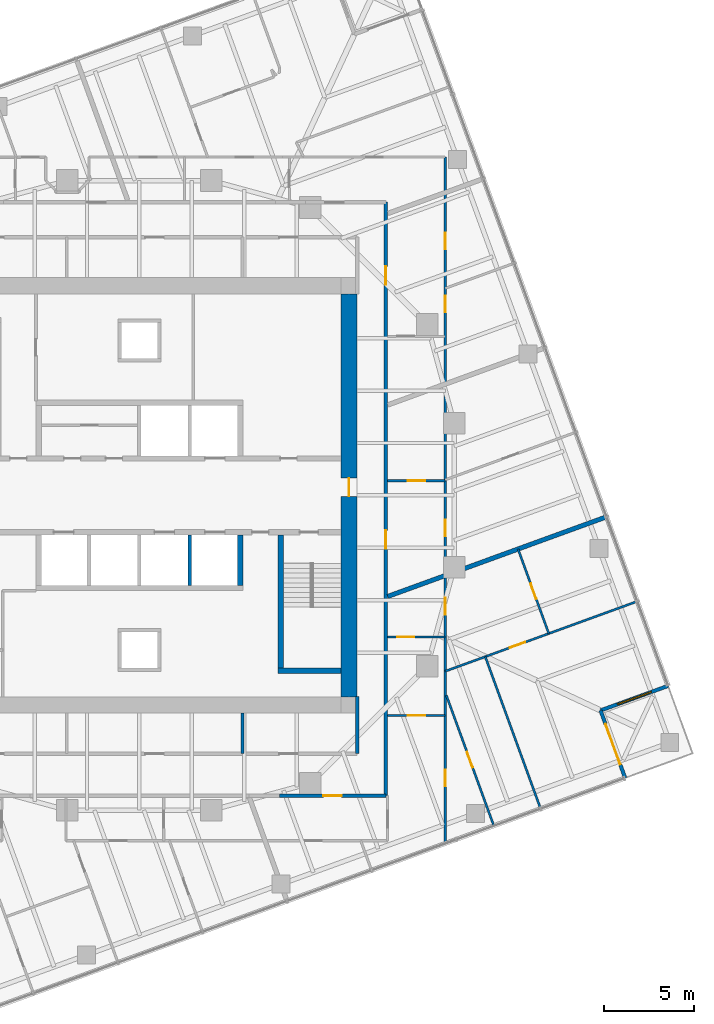
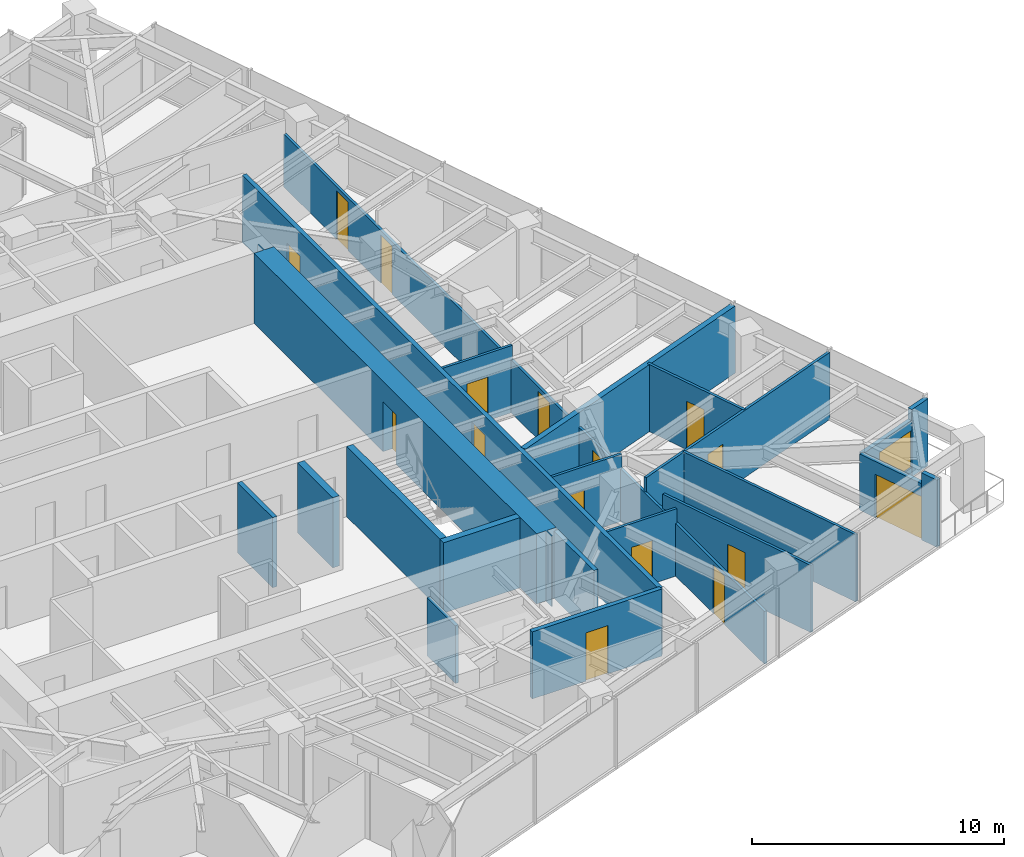
# One storey, part 9 of 13: 22 walls, 16 doors, 1 window, 17 openings.
"""IFC4 building model written with IfcOpenShell, lengths in metres."""

from ifc_helpers import new_model, si_unit, direction, frame, frame_2d, origin, place, context, subcontext, project, spatial, polyline, rectangle, outline, extrude, material, layer, layer_set, type_object, element, fill, save


model = new_model("IFC4")

# Units and contexts
model_context = context("Model", 3, precision=1e-05, world=origin(), true_north=direction((0.0, 1.0)))
body_context = subcontext(model_context, "Body", "Model", "MODEL_VIEW")
ifc_project = project(units=[si_unit("LENGTHUNIT", "METRE"), si_unit("AREAUNIT", "SQUARE_METRE"), si_unit("VOLUMEUNIT", "CUBIC_METRE"), si_unit("PLANEANGLEUNIT", "RADIAN"), si_unit("MASSUNIT", "GRAM", prefix="KILO")], contexts=[model_context])

# Site, building, storey
site_placement = place(None, origin())
site = spatial("IfcSite", under=ifc_project, at=site_placement, CompositionType="ELEMENT")
building_placement = place(site_placement, origin())
building = spatial("IfcBuilding", under=site, at=building_placement, Name="Torsade Residences", CompositionType="ELEMENT")
storey_placement = place(building_placement, frame((0.0, 0.0, 150.60009765625)))
storey = spatial("IfcBuildingStorey", under=building, at=storey_placement, Name="L41", CompositionType="ELEMENT", Elevation=150.60009765625)

# Walls
ifc_material_1 = material(Name="Concrete 80 MPa", Category="concrete")
ifc_layer_1 = layer(ifc_material_1, 0.300048828125)
ifc_layer_set_1 = layer_set([ifc_layer_1], Name="Concrete 80 MPa")
wall_type_1 = type_object("IfcWallType", Name="CORE INTERNAL WALL 300", PredefinedType="SHEAR", material=ifc_layer_set_1)
wall_1_placement = place(storey_placement, frame((45.60009765625, 27.800048828125, 0.0), z_axis=(0.0, 0.0, 1.0), x_axis=(0.0, -1.0, 0.0)))
element("IfcWall", 1, at=wall_1_placement, inside=storey, type_object=wall_type_1, Name="Core wall DS0 L41", PredefinedType="SHEAR", context=body_context, shape_type="SweptSolid", body=[
    extrude(rectangle(XDim=2.800048828125, YDim=0.300048828125, at=frame_2d((1.39990234375, 0.0))), origin(), (0.0, 0.0, 1.0), 3.39990234375),
])
wall_2_placement = place(storey_placement, frame((47.85009765625, 27.800048828125, 0.0), z_axis=(0.0, 0.0, 1.0), x_axis=(0.0, -1.0, 0.0)))
element("IfcWall", 2, at=wall_2_placement, inside=storey, type_object=wall_type_1, Name="Core wall ST2W L41", PredefinedType="SHEAR", context=body_context, shape_type="SweptSolid", body=[
    extrude(rectangle(XDim=7.699951171875, YDim=0.300048828125, at=frame_2d((3.85009765625, 0.0))), origin(), (0.0, 0.0, 1.0), 3.39990234375),
])
wall_3_placement = place(storey_placement, frame((51.199951171875, 20.25, 0.0), z_axis=(0.0, 0.0, 1.0), x_axis=(-1.0, 0.0, 0.0)))
element("IfcWall", 3, at=wall_3_placement, inside=storey, type_object=wall_type_1, Name="Core wall ST2S L41", PredefinedType="SHEAR", context=body_context, shape_type="SweptSolid", body=[
    extrude(rectangle(XDim=3.5, YDim=0.300048828125, at=frame_2d((1.75, 0.0))), origin(), (0.0, 0.0, 1.0), 3.39990234375),
])

# Wall, opening, door
ifc_material_2 = material(Name="Concrete 80 MPa", Category="concrete")
ifc_layer_2 = layer(ifc_material_2, 0.89990234375)
ifc_layer_set_2 = layer_set([ifc_layer_2], Name="Concrete 80 MPa")
wall_type_2 = type_object("IfcWallType", Name="CORE WALL 900", PredefinedType="SHEAR", material=ifc_layer_set_2)
wall_4_placement = place(storey_placement, frame((51.64990234375, 18.800048828125, 0.0), z_axis=(0.0, 0.0, 1.0), x_axis=(0.0, 1.0, 0.0)))
wall_4 = element("IfcWall", 4, at=wall_4_placement, inside=storey, type_object=wall_type_2, Name="Core wall E L41", PredefinedType="SHEAR", context=body_context, shape_type="SweptSolid", body=[
    extrude(outline(polyline([(0.0, -0.449951171875), (22.39990234375, -0.449951171875), (22.39990234375, -0.02490234375), (22.849853515625, -0.02490234375), (22.849853515625, 0.02490234375), (22.39990234375, 0.02490234375), (22.39990234375, 0.449951171875), (0.0, 0.449951171875), (0.0, 0.02490234375), (-0.449951171875, 0.02490234375), (-0.449951171875, -0.02490234375), (0.0, -0.02490234375), (0.0, -0.449951171875)])), origin(), (0.0, 0.0, 1.0), 3.39990234375),
])
opening_1_placement = place(wall_4_placement, frame((11.139892578125, 0.0, 0.0)))
opening_1 = element("IfcOpeningElement", 5, at=opening_1_placement, cuts=wall_4, Name="Opening D04", PredefinedType="OPENING", context=body_context, shape_type="SweptSolid", body=[
    extrude(rectangle(XDim=1.02001953125, YDim=2.39990234375, at=frame_2d((0.510009765625, 1.199951171875))), frame((0.0, 0.4599609375, 0.0), z_axis=(0.0, -1.0, 0.0), x_axis=(1.0, 0.0, 0.0)), (0.0, 0.0, 1.0), 0.919921875),
])
ifc_material_3 = material(Name="Steel-framed fire door", Category="steel")
door_type_1 = type_object("IfcDoorType", Name="LOBBY SMOKE DOOR 1020x2400", OperationType="NOTDEFINED", PredefinedType="DOOR", material=ifc_material_3)
door_1_placement = place(opening_1_placement, origin())
door_1 = element("IfcDoor", 6, at=door_1_placement, inside=storey, type_object=door_type_1, Name="Lift lobby door E L41", OperationType="SINGLE_SWING_LEFT", OverallHeight=2.39990234375, OverallWidth=1.02001953125, PredefinedType="DOOR", context=body_context, shape_type="SweptSolid", body=[
    extrude(rectangle(XDim=1.02001953125, YDim=2.39990234375, at=frame_2d((0.510009765625, 1.199951171875))), frame((0.0, 0.02490234375, 0.0), z_axis=(0.0, -1.0, 0.0), x_axis=(1.0, 0.0, 0.0)), (0.0, 0.0, 1.0), 0.050048828125),
])
fill(opening_1, door_1)

ifc_material_4 = material(Name="Plasterboard on steel stud", Category="steel")
ifc_layer_3 = layer(ifc_material_4, 0.199951171875)
ifc_layer_set_3 = layer_set([ifc_layer_3], Name="Plasterboard on steel stud")
wall_type_3 = type_object("IfcWallType", Name="CORRIDOR WALL 200", PredefinedType="PARTITIONING", material=ifc_layer_set_3)
wall_5_placement = place(storey_placement, frame((47.775146484375, 13.300048828125, 0.0), z_axis=(0.0, 0.0, 1.0), x_axis=(1.0, 0.0, 0.0)))
wall_5 = element("IfcWall", 7, at=wall_5_placement, inside=storey, type_object=wall_type_3, Name="Corridor wall L41", PredefinedType="PARTITIONING", context=body_context, shape_type="SweptSolid", body=[
    extrude(rectangle(XDim=5.9248046875, YDim=0.199951171875, at=frame_2d((2.96240234375, 0.0))), origin(), (0.0, 0.0, 1.0), 3.25),
])
opening_2_placement = place(wall_5_placement, frame((2.453369140625, 0.0, 0.0)))
opening_2 = element("IfcOpeningElement", 8, at=opening_2_placement, cuts=wall_5, Name="Opening D01", PredefinedType="OPENING", context=body_context, shape_type="SweptSolid", body=[
    extrude(rectangle(XDim=1.02001953125, YDim=2.340087890625, at=frame_2d((0.510009765625, 1.169921875))), frame((0.0, 0.10986328125, 0.0), z_axis=(0.0, -1.0, 0.0), x_axis=(1.0, 0.0, 0.0)), (0.0, 0.0, 1.0), 0.219970703125),
])
ifc_material_5 = material(Name="Solid-core timber fire door", Category="wood")
door_type_2 = type_object("IfcDoorType", Name="APARTMENT ENTRY DOOR 1020x2340", OperationType="NOTDEFINED", PredefinedType="DOOR", material=ifc_material_5)
door_2_placement = place(opening_2_placement, origin())
door_2 = element("IfcDoor", 9, at=door_2_placement, inside=storey, type_object=door_type_2, Name="Door Residential corridor to Kitchen and dining", OperationType="SINGLE_SWING_LEFT", OverallHeight=2.340087890625, OverallWidth=1.02001953125, PredefinedType="DOOR", context=body_context, shape_type="SweptSolid", body=[
    extrude(rectangle(XDim=1.02001953125, YDim=2.340087890625, at=frame_2d((0.510009765625, 1.169921875))), frame((0.0, 0.02490234375, 0.0), z_axis=(0.0, -1.0, 0.0), x_axis=(1.0, 0.0, 0.0)), (0.0, 0.0, 1.0), 0.050048828125),
])
fill(opening_2, door_2)

# Wall, openings, doors
wall_6_placement = place(storey_placement, frame((53.699951171875, 13.300048828125, 0.0), z_axis=(0.0, 0.0, 1.0), x_axis=(0.0, 1.0, 0.0)))
wall_6 = element("IfcWall", 10, at=wall_6_placement, inside=storey, type_object=wall_type_3, Name="Corridor wall L41", PredefinedType="PARTITIONING", context=body_context, shape_type="SweptSolid", body=[
    extrude(rectangle(XDim=33.0, YDim=0.199951171875, at=frame_2d((16.5, 0.0))), origin(), (0.0, 0.0, 1.0), 3.25),
])
opening_3_placement = place(wall_6_placement, frame((28.4111328125, 0.0, 0.0)))
opening_3 = element("IfcOpeningElement", 11, at=opening_3_placement, cuts=wall_6, Name="Opening D01L", PredefinedType="OPENING", context=body_context, shape_type="SweptSolid", body=[
    extrude(rectangle(XDim=1.02001953125, YDim=2.10009765625, at=frame_2d((0.510009765625, 1.050048828125))), frame((0.0, 0.10986328125, 0.0), z_axis=(0.0, -1.0, 0.0), x_axis=(1.0, 0.0, 0.0)), (0.0, 0.0, 1.0), 0.219970703125),
])
opening_4_placement = place(wall_6_placement, frame((13.7412109375, 0.0, 0.0)))
opening_4 = element("IfcOpeningElement", 12, at=opening_4_placement, cuts=wall_6, Name="Opening D01", PredefinedType="OPENING", context=body_context, shape_type="SweptSolid", body=[
    extrude(rectangle(XDim=1.02001953125, YDim=2.340087890625, at=frame_2d((0.510009765625, 1.169921875))), frame((0.0, 0.10986328125, 0.0), z_axis=(0.0, -1.0, 0.0), x_axis=(1.0, 0.0, 0.0)), (0.0, 0.0, 1.0), 0.219970703125),
])
ifc_material_6 = material(Name="Solid-core timber fire door", Category="wood")
door_type_3 = type_object("IfcDoorType", Name="APARTMENT ENTRY DOOR 1020x2100", OperationType="NOTDEFINED", PredefinedType="DOOR", material=ifc_material_6)
door_3_placement = place(opening_3_placement, origin())
door_3 = element("IfcDoor", 13, at=door_3_placement, inside=storey, type_object=door_type_3, Name="Door Residential corridor to Kitchen and dining", OperationType="SINGLE_SWING_RIGHT", OverallHeight=2.10009765625, OverallWidth=1.02001953125, PredefinedType="DOOR", context=body_context, shape_type="SweptSolid", body=[
    extrude(rectangle(XDim=1.02001953125, YDim=2.10009765625, at=frame_2d((0.510009765625, 1.050048828125))), frame((0.0, 0.02490234375, 0.0), z_axis=(0.0, -1.0, 0.0), x_axis=(1.0, 0.0, 0.0)), (0.0, 0.0, 1.0), 0.050048828125),
])
fill(opening_3, door_3)
door_4_placement = place(opening_4_placement, origin())
door_4 = element("IfcDoor", 14, at=door_4_placement, inside=storey, type_object=door_type_2, Name="Door Residential corridor to Kitchen and dining", OperationType="SINGLE_SWING_LEFT", OverallHeight=2.340087890625, OverallWidth=1.02001953125, PredefinedType="DOOR", context=body_context, shape_type="SweptSolid", body=[
    extrude(rectangle(XDim=1.02001953125, YDim=2.340087890625, at=frame_2d((0.510009765625, 1.169921875))), frame((0.0, 0.02490234375, 0.0), z_axis=(0.0, -1.0, 0.0), x_axis=(1.0, 0.0, 0.0)), (0.0, 0.0, 1.0), 0.050048828125),
])
fill(opening_4, door_4)

# Walls
wall_7_placement = place(storey_placement, frame((52.10009765625, 15.64990234375, 0.0), z_axis=(0.0, 0.0, 1.0), x_axis=(0.0, 1.0, 0.0)))
element("IfcWall", 15, at=wall_7_placement, inside=storey, type_object=wall_type_3, Name="Corridor wall L41", PredefinedType="PARTITIONING", context=body_context, shape_type="SweptSolid", body=[
    extrude(rectangle(XDim=3.170166015625, YDim=0.199951171875, at=frame_2d((1.5849609375, 0.0))), origin(), (0.0, 0.0, 1.0), 3.25),
])
ifc_material_7 = material(Name="Reinforced blockwork", Category="masonry")
ifc_layer_4 = layer(ifc_material_7, 0.199951171875)
ifc_layer_set_4 = layer_set([ifc_layer_4], Name="Reinforced blockwork")
wall_type_4 = type_object("IfcWallType", Name="LIFT SHAFT DIVIDING WALL 200", PredefinedType="SOLIDWALL", material=ifc_layer_set_4)
wall_8_placement = place(storey_placement, frame((42.800048828125, 27.800048828125, 0.0), z_axis=(0.0, 0.0, 1.0), x_axis=(0.0, -1.0, 0.0)))
element("IfcWall", 16, at=wall_8_placement, inside=storey, type_object=wall_type_4, Name="Core wall DS1 L41", PredefinedType="SOLIDWALL", context=body_context, shape_type="SweptSolid", body=[
    extrude(rectangle(XDim=2.800048828125, YDim=0.199951171875, at=frame_2d((1.39990234375, 0.0))), origin(), (0.0, 0.0, 1.0), 3.39990234375),
])

# Wall, opening, door
ifc_material_8 = material(Name="Plasterboard on steel stud", Category="steel")
ifc_layer_5 = layer(ifc_material_8, 0.1201171875)
ifc_layer_set_5 = layer_set([ifc_layer_5], Name="Plasterboard on steel stud")
wall_type_5 = type_object("IfcWallType", Name="PARTITION 120", PredefinedType="PARTITIONING", material=ifc_layer_set_5)
wall_9_placement = place(storey_placement, frame((53.800048828125, 17.768798828125, 0.0), z_axis=(0.0, 0.0, 1.0), x_axis=(1.0, 0.0, 0.0)))
wall_9 = element("IfcWall", 17, at=wall_9_placement, inside=storey, type_object=wall_type_5, Name="Partition L41", PredefinedType="PARTITIONING", context=body_context, shape_type="SweptSolid", body=[
    extrude(rectangle(XDim=3.199951171875, YDim=0.1201171875, at=frame_2d((1.60009765625, 0.0))), origin(), (0.0, 0.0, 1.0), 3.25),
])
opening_5_placement = place(wall_9_placement, frame((1.1201171875, 0.0, 0.0)))
opening_5 = element("IfcOpeningElement", 18, at=opening_5_placement, cuts=wall_9, Name="Opening D05", PredefinedType="OPENING", context=body_context, shape_type="SweptSolid", body=[
    extrude(rectangle(XDim=0.9599609375, YDim=2.10009765625, at=frame_2d((0.47998046875, 1.050048828125))), frame((0.0, 0.070068359375, 0.0), z_axis=(0.0, -1.0, 0.0), x_axis=(1.0, 0.0, 0.0)), (0.0, 0.0, 1.0), 0.14013671875),
])
ifc_material_9 = material(Name="Hollow-core timber door in a steel cavity frame", Category="steel")
door_type_4 = type_object("IfcDoorType", Name="BATHROOM CAVITY SLIDING DOOR 960", OperationType="SLIDING_TO_LEFT", PredefinedType="DOOR", material=ifc_material_9)
door_5_placement = place(opening_5_placement, origin())
door_5 = element("IfcDoor", 19, at=door_5_placement, inside=storey, type_object=door_type_4, Name="Door Scullery to Bathroom", OperationType="SLIDING_TO_LEFT", OverallHeight=2.10009765625, OverallWidth=0.9599609375, PredefinedType="DOOR", context=body_context, shape_type="SweptSolid", body=[
    extrude(rectangle(XDim=0.9599609375, YDim=2.10009765625, at=frame_2d((0.47998046875, 1.050048828125))), frame((0.0, 0.02490234375, 0.0), z_axis=(0.0, -1.0, 0.0), x_axis=(1.0, 0.0, 0.0)), (0.0, 0.0, 1.0), 0.050048828125),
])
fill(opening_5, door_5)

# Wall, openings, doors
wall_10_placement = place(storey_placement, frame((57.0, 48.800048828125, 0.0), z_axis=(0.0, 0.0, 1.0), x_axis=(0.0, -1.0, 0.0)))
wall_10 = element("IfcWall", 20, at=wall_10_placement, inside=storey, type_object=wall_type_5, Name="Partition L41", PredefinedType="PARTITIONING", context=body_context, shape_type="SweptSolid", body=[
    extrude(rectangle(XDim=38.11279296875, YDim=0.1201171875, at=frame_2d((19.056396484375, 0.0))), origin(), (0.0, 0.0, 1.0), 2.5498046875),
])
opening_6_placement = place(wall_10_placement, frame((4.19775390625, 0.0, 0.0)))
opening_6 = element("IfcOpeningElement", 21, at=opening_6_placement, cuts=wall_10, Name="Opening D02", PredefinedType="OPENING", context=body_context, shape_type="SweptSolid", body=[
    extrude(rectangle(XDim=0.919921875, YDim=2.340087890625, at=frame_2d((0.4599609375, 1.169921875))), frame((0.0, 0.070068359375, 0.0), z_axis=(0.0, -1.0, 0.0), x_axis=(1.0, 0.0, 0.0)), (0.0, 0.0, 1.0), 0.14013671875),
])
opening_7_placement = place(wall_10_placement, frame((7.69189453125, 0.0, 0.0)))
opening_7 = element("IfcOpeningElement", 22, at=opening_7_placement, cuts=wall_10, Name="Opening D02", PredefinedType="OPENING", context=body_context, shape_type="SweptSolid", body=[
    extrude(rectangle(XDim=0.919921875, YDim=2.340087890625, at=frame_2d((0.4599609375, 1.169921875))), frame((0.0, 0.070068359375, 0.0), z_axis=(0.0, -1.0, 0.0), x_axis=(1.0, 0.0, 0.0)), (0.0, 0.0, 1.0), 0.14013671875),
])
opening_8_placement = place(wall_10_placement, frame((20.162109375, 0.0, 0.0)))
opening_8 = element("IfcOpeningElement", 23, at=opening_8_placement, cuts=wall_10, Name="Opening D02", PredefinedType="OPENING", context=body_context, shape_type="SweptSolid", body=[
    extrude(rectangle(XDim=0.919921875, YDim=2.340087890625, at=frame_2d((0.4599609375, 1.169921875))), frame((0.0, 0.070068359375, 0.0), z_axis=(0.0, -1.0, 0.0), x_axis=(1.0, 0.0, 0.0)), (0.0, 0.0, 1.0), 0.14013671875),
])
opening_9_placement = place(wall_10_placement, frame((34.0556640625, 0.0, 0.0)))
opening_9 = element("IfcOpeningElement", 24, at=opening_9_placement, cuts=wall_10, Name="Opening D02", PredefinedType="OPENING", context=body_context, shape_type="SweptSolid", body=[
    extrude(rectangle(XDim=0.919921875, YDim=2.340087890625, at=frame_2d((0.4599609375, 1.169921875))), frame((0.0, 0.070068359375, 0.0), z_axis=(0.0, -1.0, 0.0), x_axis=(1.0, 0.0, 0.0)), (0.0, 0.0, 1.0), 0.14013671875),
])
opening_10_placement = place(wall_10_placement, frame((24.482421875, 0.0, 0.0)))
opening_10 = element("IfcOpeningElement", 25, at=opening_10_placement, cuts=wall_10, Name="Opening D05", PredefinedType="OPENING", context=body_context, shape_type="SweptSolid", body=[
    extrude(rectangle(XDim=0.9599609375, YDim=2.10009765625, at=frame_2d((0.47998046875, 1.050048828125))), frame((0.0, 0.070068359375, 0.0), z_axis=(0.0, -1.0, 0.0), x_axis=(1.0, 0.0, 0.0)), (0.0, 0.0, 1.0), 0.14013671875),
])
door_6_placement = place(opening_10_placement, origin())
door_6 = element("IfcDoor", 26, at=door_6_placement, inside=storey, type_object=door_type_4, Name="Door Ensuite to Walk-in robe", OperationType="SLIDING_TO_LEFT", OverallHeight=2.10009765625, OverallWidth=0.9599609375, PredefinedType="DOOR", context=body_context, shape_type="SweptSolid", body=[
    extrude(rectangle(XDim=0.9599609375, YDim=2.10009765625, at=frame_2d((0.47998046875, 1.050048828125))), frame((0.0, 0.02490234375, 0.0), z_axis=(0.0, -1.0, 0.0), x_axis=(1.0, 0.0, 0.0)), (0.0, 0.0, 1.0), 0.050048828125),
])
fill(opening_10, door_6)
ifc_material_10 = material(Name="Hollow-core timber door", Category="wood")
door_type_5 = type_object("IfcDoorType", Name="INTERNAL DOOR 920x2340", OperationType="NOTDEFINED", PredefinedType="DOOR", material=ifc_material_10)
door_7_placement = place(opening_6_placement, origin())
door_7 = element("IfcDoor", 27, at=door_7_placement, inside=storey, type_object=door_type_5, Name="Door Kitchen and dining to Bedroom 1", OperationType="SINGLE_SWING_RIGHT", OverallHeight=2.340087890625, OverallWidth=0.919921875, PredefinedType="DOOR", context=body_context, shape_type="SweptSolid", body=[
    extrude(rectangle(XDim=0.919921875, YDim=2.340087890625, at=frame_2d((0.4599609375, 1.169921875))), frame((0.0, 0.02490234375, 0.0), z_axis=(0.0, -1.0, 0.0), x_axis=(1.0, 0.0, 0.0)), (0.0, 0.0, 1.0), 0.050048828125),
])
fill(opening_6, door_7)
door_8_placement = place(opening_7_placement, origin())
door_8 = element("IfcDoor", 28, at=door_8_placement, inside=storey, type_object=door_type_5, Name="Door Kitchen and dining to Living room", OperationType="SINGLE_SWING_LEFT", OverallHeight=2.340087890625, OverallWidth=0.919921875, PredefinedType="DOOR", context=body_context, shape_type="SweptSolid", body=[
    extrude(rectangle(XDim=0.919921875, YDim=2.340087890625, at=frame_2d((0.4599609375, 1.169921875))), frame((0.0, 0.02490234375, 0.0), z_axis=(0.0, -1.0, 0.0), x_axis=(1.0, 0.0, 0.0)), (0.0, 0.0, 1.0), 0.050048828125),
])
fill(opening_7, door_8)
door_9_placement = place(opening_8_placement, origin())
door_9 = element("IfcDoor", 29, at=door_9_placement, inside=storey, type_object=door_type_5, Name="Door Kitchen and dining to Living room", OperationType="SINGLE_SWING_RIGHT", OverallHeight=2.340087890625, OverallWidth=0.919921875, PredefinedType="DOOR", context=body_context, shape_type="SweptSolid", body=[
    extrude(rectangle(XDim=0.919921875, YDim=2.340087890625, at=frame_2d((0.4599609375, 1.169921875))), frame((0.0, 0.02490234375, 0.0), z_axis=(0.0, -1.0, 0.0), x_axis=(1.0, 0.0, 0.0)), (0.0, 0.0, 1.0), 0.050048828125),
])
fill(opening_8, door_9)
door_10_placement = place(opening_9_placement, origin())
door_10 = element("IfcDoor", 30, at=door_10_placement, inside=storey, type_object=door_type_5, Name="Door Scullery to Study", OperationType="SINGLE_SWING_RIGHT", OverallHeight=2.340087890625, OverallWidth=0.919921875, PredefinedType="DOOR", context=body_context, shape_type="SweptSolid", body=[
    extrude(rectangle(XDim=0.919921875, YDim=2.340087890625, at=frame_2d((0.4599609375, 1.169921875))), frame((0.0, 0.02490234375, 0.0), z_axis=(0.0, -1.0, 0.0), x_axis=(1.0, 0.0, 0.0)), (0.0, 0.0, 1.0), 0.050048828125),
])
fill(opening_9, door_10)

# Wall, opening, door
wall_11_placement = place(storey_placement, frame((53.800048828125, 22.12939453125, 0.0), z_axis=(0.0, 0.0, 1.0), x_axis=(1.0, 0.0, 0.0)))
wall_11 = element("IfcWall", 31, at=wall_11_placement, inside=storey, type_object=wall_type_5, Name="Partition L41", PredefinedType="PARTITIONING", context=body_context, shape_type="SweptSolid", body=[
    extrude(rectangle(XDim=3.199951171875, YDim=0.1201171875, at=frame_2d((1.60009765625, 0.0))), origin(), (0.0, 0.0, 1.0), 3.25),
])
opening_11_placement = place(wall_11_placement, frame((0.52001953125, 0.0, 0.0)))
opening_11 = element("IfcOpeningElement", 32, at=opening_11_placement, cuts=wall_11, Name="Opening D05", PredefinedType="OPENING", context=body_context, shape_type="SweptSolid", body=[
    extrude(rectangle(XDim=0.9599609375, YDim=2.10009765625, at=frame_2d((0.47998046875, 1.050048828125))), frame((0.0, 0.070068359375, 0.0), z_axis=(0.0, -1.0, 0.0), x_axis=(1.0, 0.0, 0.0)), (0.0, 0.0, 1.0), 0.14013671875),
])
door_11_placement = place(opening_11_placement, origin())
door_11 = element("IfcDoor", 33, at=door_11_placement, inside=storey, type_object=door_type_4, Name="Door Bathroom to Ensuite", OperationType="SLIDING_TO_LEFT", OverallHeight=2.10009765625, OverallWidth=0.9599609375, PredefinedType="DOOR", context=body_context, shape_type="SweptSolid", body=[
    extrude(rectangle(XDim=0.9599609375, YDim=2.10009765625, at=frame_2d((0.47998046875, 1.050048828125))), frame((0.0, 0.02490234375, 0.0), z_axis=(0.0, -1.0, 0.0), x_axis=(1.0, 0.0, 0.0)), (0.0, 0.0, 1.0), 0.050048828125),
])
fill(opening_11, door_11)

wall_12_placement = place(storey_placement, frame((57.0, 20.224853515625, 0.0), z_axis=(0.0, 0.0, 1.0), x_axis=(0.939693965364, 0.342016449105, 0.0)))
wall_12 = element("IfcWall", 34, at=wall_12_placement, inside=storey, type_object=wall_type_5, Name="Partition L41", PredefinedType="PARTITIONING", context=body_context, shape_type="SweptSolid", body=[
    extrude(rectangle(XDim=11.328369140625, YDim=0.1201171875, at=frame_2d((5.6640625, 0.0))), origin(), (0.0, 0.0, 1.0), 3.25),
])
opening_12_placement = place(wall_12_placement, frame((3.812255859375, 0.0, 0.0)))
opening_12 = element("IfcOpeningElement", 35, at=opening_12_placement, cuts=wall_12, Name="Opening D02", PredefinedType="OPENING", context=body_context, shape_type="SweptSolid", body=[
    extrude(rectangle(XDim=0.919921875, YDim=2.340087890625, at=frame_2d((0.4599609375, 1.169921875))), frame((0.0, 0.070068359375, 0.0), z_axis=(0.0, -1.0, 0.0), x_axis=(1.0, 0.0, 0.0)), (0.0, 0.0, 1.0), 0.14013671875),
])
door_12_placement = place(opening_12_placement, origin())
door_12 = element("IfcDoor", 36, at=door_12_placement, inside=storey, type_object=door_type_5, Name="Door Walk-in robe to Living room", OperationType="SINGLE_SWING_RIGHT", OverallHeight=2.340087890625, OverallWidth=0.919921875, PredefinedType="DOOR", context=body_context, shape_type="SweptSolid", body=[
    extrude(rectangle(XDim=0.919921875, YDim=2.340087890625, at=frame_2d((0.4599609375, 1.169921875))), frame((0.0, 0.02490234375, 0.0), z_axis=(0.0, -1.0, 0.0), x_axis=(1.0, 0.0, 0.0)), (0.0, 0.0, 1.0), 0.050048828125),
])
fill(opening_12, door_12)

# Wall
wall_13_placement = place(storey_placement, frame((62.290283203125, 12.615234375, 0.0), z_axis=(0.0, 0.0, 1.0), x_axis=(-0.342038393654, 0.939685978009, 0.0)))
element("IfcWall", 37, at=wall_13_placement, inside=storey, type_object=wall_type_5, Name="Partition L41", PredefinedType="PARTITIONING", context=body_context, shape_type="SweptSolid", body=[
    extrude(rectangle(XDim=8.960205078125, YDim=0.1201171875, at=frame_2d((4.47998046875, 0.0))), origin(), (0.0, 0.0, 1.0), 3.25),
])

# Wall, opening, door
wall_14_placement = place(storey_placement, frame((62.756591796875, 22.320068359375, 0.0), z_axis=(0.0, 0.0, 1.0), x_axis=(-0.341993964619, 0.939702148643, 0.0)))
wall_14 = element("IfcWall", 38, at=wall_14_placement, inside=storey, type_object=wall_type_5, Name="Partition L41", PredefinedType="PARTITIONING", context=body_context, shape_type="SweptSolid", body=[
    extrude(rectangle(XDim=5.0, YDim=0.1201171875, at=frame_2d((2.5, 0.0))), origin(), (0.0, 0.0, 1.0), 3.25),
])
opening_13_placement = place(wall_14_placement, frame((2.0400390625, 0.0, 0.0)))
opening_13 = element("IfcOpeningElement", 39, at=opening_13_placement, cuts=wall_14, Name="Opening D02", PredefinedType="OPENING", context=body_context, shape_type="SweptSolid", body=[
    extrude(rectangle(XDim=0.919921875, YDim=2.340087890625, at=frame_2d((0.4599609375, 1.169921875))), frame((0.0, 0.070068359375, 0.0), z_axis=(0.0, -1.0, 0.0), x_axis=(1.0, 0.0, 0.0)), (0.0, 0.0, 1.0), 0.14013671875),
])
door_13_placement = place(opening_13_placement, origin())
door_13 = element("IfcDoor", 40, at=door_13_placement, inside=storey, type_object=door_type_5, Name="Door Walk-in robe to Bedroom 1", OperationType="SINGLE_SWING_RIGHT", OverallHeight=2.340087890625, OverallWidth=0.919921875, PredefinedType="DOOR", context=body_context, shape_type="SweptSolid", body=[
    extrude(rectangle(XDim=0.919921875, YDim=2.340087890625, at=frame_2d((0.4599609375, 1.169921875))), frame((0.0, 0.02490234375, 0.0), z_axis=(0.0, -1.0, 0.0), x_axis=(1.0, 0.0, 0.0)), (0.0, 0.0, 1.0), 0.050048828125),
])
fill(opening_13, door_13)

wall_15_placement = place(storey_placement, frame((59.689208984375, 11.668701171875, 0.0), z_axis=(0.0, 0.0, 1.0), x_axis=(-0.342003311293, 0.939698746974, 0.0)))
wall_15 = element("IfcWall", 41, at=wall_15_placement, inside=storey, type_object=wall_type_5, Name="Partition L41", PredefinedType="PARTITIONING", context=body_context, shape_type="SweptSolid", body=[
    extrude(rectangle(XDim=7.6826171875, YDim=0.1201171875, at=frame_2d((3.84130859375, 0.0))), origin(), (0.0, 0.0, 1.0), 3.25),
])
opening_14_placement = place(wall_15_placement, frame((3.411376953125, 0.0, 0.0)))
opening_14 = element("IfcOpeningElement", 42, at=opening_14_placement, cuts=wall_15, Name="Opening D02", PredefinedType="OPENING", context=body_context, shape_type="SweptSolid", body=[
    extrude(rectangle(XDim=0.919921875, YDim=2.340087890625, at=frame_2d((0.4599609375, 1.169921875))), frame((0.0, 0.070068359375, 0.0), z_axis=(0.0, -1.0, 0.0), x_axis=(1.0, 0.0, 0.0)), (0.0, 0.0, 1.0), 0.14013671875),
])
door_14_placement = place(opening_14_placement, origin())
door_14 = element("IfcDoor", 43, at=door_14_placement, inside=storey, type_object=door_type_5, Name="Door Study to Bedroom 3", OperationType="SINGLE_SWING_LEFT", OverallHeight=2.340087890625, OverallWidth=0.919921875, PredefinedType="DOOR", context=body_context, shape_type="SweptSolid", body=[
    extrude(rectangle(XDim=0.919921875, YDim=2.340087890625, at=frame_2d((0.4599609375, 1.169921875))), frame((0.0, 0.02490234375, 0.0), z_axis=(0.0, -1.0, 0.0), x_axis=(1.0, 0.0, 0.0)), (0.0, 0.0, 1.0), 0.050048828125),
])
fill(opening_14, door_14)

wall_16_placement = place(storey_placement, frame((53.800048828125, 30.810302734375, 0.0), z_axis=(0.0, 0.0, 1.0), x_axis=(1.0, 0.0, 0.0)))
wall_16 = element("IfcWall", 44, at=wall_16_placement, inside=storey, type_object=wall_type_5, Name="Partition L41", PredefinedType="PARTITIONING", context=body_context, shape_type="SweptSolid", body=[
    extrude(rectangle(XDim=3.199951171875, YDim=0.1201171875, at=frame_2d((1.60009765625, 0.0))), origin(), (0.0, 0.0, 1.0), 3.25),
])
opening_15_placement = place(wall_16_placement, frame((1.1201171875, 0.0, 0.0)))
opening_15 = element("IfcOpeningElement", 45, at=opening_15_placement, cuts=wall_16, Name="Opening D05", PredefinedType="OPENING", context=body_context, shape_type="SweptSolid", body=[
    extrude(rectangle(XDim=0.9599609375, YDim=2.10009765625, at=frame_2d((0.47998046875, 1.050048828125))), frame((0.0, 0.070068359375, 0.0), z_axis=(0.0, -1.0, 0.0), x_axis=(1.0, 0.0, 0.0)), (0.0, 0.0, 1.0), 0.14013671875),
])
door_15_placement = place(opening_15_placement, origin())
door_15 = element("IfcDoor", 46, at=door_15_placement, inside=storey, type_object=door_type_4, Name="Door Kitchen and dining to Bathroom", OperationType="SLIDING_TO_LEFT", OverallHeight=2.10009765625, OverallWidth=0.9599609375, PredefinedType="DOOR", context=body_context, shape_type="SweptSolid", body=[
    extrude(rectangle(XDim=0.9599609375, YDim=2.10009765625, at=frame_2d((0.47998046875, 1.050048828125))), frame((0.0, 0.02490234375, 0.0), z_axis=(0.0, -1.0, 0.0), x_axis=(1.0, 0.0, 0.0)), (0.0, 0.0, 1.0), 0.050048828125),
])
fill(opening_15, door_15)

# Walls
ifc_material_11 = material(Name="Masonry-lined stud party wall", Category="masonry")
ifc_layer_6 = layer(ifc_material_11, 0.25)
ifc_layer_set_6 = layer_set([ifc_layer_6], Name="Masonry-lined stud party wall")
wall_type_6 = type_object("IfcWallType", Name="PARTY WALL 250", PredefinedType="PARTITIONING", material=ifc_layer_set_6)
wall_17_placement = place(storey_placement, frame((65.972900390625, 28.8115234375, 0.0), z_axis=(0.0, 0.0, 1.0), x_axis=(-0.939692090592, -0.342021600019, 0.0)))
element("IfcWall", 47, at=wall_17_placement, inside=storey, type_object=wall_type_6, Name="Party wall L41", PredefinedType="PARTITIONING", context=body_context, shape_type="SweptSolid", body=[
    extrude(rectangle(XDim=12.94873046875, YDim=0.25, at=frame_2d((6.474365234375, 0.0))), origin(), (0.0, 0.0, 1.0), 3.25),
])
ifc_material_12 = material(Name="Reinforced blockwork", Category="masonry")
ifc_layer_7 = layer(ifc_material_12, 0.14990234375)
ifc_layer_set_7 = layer_set([ifc_layer_7], Name="Reinforced blockwork")
wall_type_7 = type_object("IfcWallType", Name="SERVICE ROOM WALL 150", PredefinedType="SOLIDWALL", material=ifc_layer_set_7)
wall_18_placement = place(storey_placement, frame((45.7353515625, 15.64990234375, 0.0), z_axis=(0.0, 0.0, 1.0), x_axis=(0.0, 1.0, 0.0)))
element("IfcWall", 48, at=wall_18_placement, inside=storey, type_object=wall_type_7, Name="Service room wall L41", PredefinedType="SOLIDWALL", context=body_context, shape_type="SweptSolid", body=[
    extrude(rectangle(XDim=2.25, YDim=0.14990234375, at=frame_2d((1.125, 0.0))), origin(), (0.0, 0.0, 1.0), 2.7958984375),
])
ifc_material_13 = material(Name="Stone-faced precast concrete 40 MPa panel", Category="masonry")
ifc_layer_8 = layer(ifc_material_13, 0.199951171875)
ifc_layer_set_8 = layer_set([ifc_layer_8], Name="Stone-faced precast concrete 40 MPa panel")
wall_type_8 = type_object("IfcWallType", Name="TERRACE WALL 200", PredefinedType="SOLIDWALL", material=ifc_layer_set_8)
wall_19_placement = place(storey_placement, frame((67.00244140625, 14.287841796875, 0.0), z_axis=(0.0, 0.0, 1.0), x_axis=(-0.342110593602, 0.939659694648, 0.0)))
element("IfcWall", 49, at=wall_19_placement, inside=storey, type_object=wall_type_8, Name="Terrace wall L41 2", PredefinedType="SOLIDWALL", context=body_context, shape_type="SweptSolid", body=[
    extrude(rectangle(XDim=0.800048828125, YDim=0.199951171875, at=frame_2d((0.39990234375, 0.0))), origin(), (0.0, 0.0, 1.0), 3.25),
])

# Wall, opening, door
wall_20_placement = place(storey_placement, frame((66.728759765625, 15.03955078125, 0.0), z_axis=(0.0, 0.0, 1.0), x_axis=(-0.342018703306, 0.939693144909, 0.0)))
wall_20 = element("IfcWall", 50, at=wall_20_placement, inside=storey, type_object=wall_type_8, Name="Terrace wall L41 2", PredefinedType="SOLIDWALL", context=body_context, shape_type="SweptSolid", body=[
    extrude(rectangle(XDim=3.199951171875, YDim=0.199951171875, at=frame_2d((1.60009765625, 0.0))), origin(), (0.0, 0.0, 1.0), 2.721923828125),
])
opening_16_placement = place(wall_20_placement, origin())
opening_16 = element("IfcOpeningElement", 51, at=opening_16_placement, cuts=wall_20, Name="Opening D10A", PredefinedType="OPENING", context=body_context, shape_type="SweptSolid", body=[
    extrude(rectangle(XDim=2.39990234375, YDim=2.10009765625, at=frame_2d((1.199951171875, 1.050048828125))), frame((0.0, 0.10986328125, 0.0), z_axis=(0.0, -1.0, 0.0), x_axis=(1.0, 0.0, 0.0)), (0.0, 0.0, 1.0), 0.219970703125),
])
ifc_material_14 = material(Name="Aluminium-framed glass door", Category="aluminium")
door_type_6 = type_object("IfcDoorType", Name="TERRACE SLIDING DOOR 2400x2100", OperationType="SLIDING_TO_LEFT", PredefinedType="DOOR", material=ifc_material_14)
door_16_placement = place(opening_16_placement, origin())
door_16 = element("IfcDoor", 52, at=door_16_placement, inside=storey, type_object=door_type_6, Name="Terrace door L41 2", OperationType="SLIDING_TO_LEFT", OverallHeight=2.10009765625, OverallWidth=2.39990234375, PredefinedType="DOOR", context=body_context, shape_type="SweptSolid", body=[
    extrude(rectangle(XDim=2.39990234375, YDim=2.10009765625, at=frame_2d((1.199951171875, 1.050048828125))), frame((0.0, 0.02490234375, 0.0), z_axis=(0.0, -1.0, 0.0), x_axis=(1.0, 0.0, 0.0)), (0.0, 0.0, 1.0), 0.050048828125),
])
fill(opening_16, door_16)

# Wall, opening, window
wall_21_placement = place(storey_placement, frame((65.63427734375, 18.046630859375, 0.0), z_axis=(0.0, 0.0, 1.0), x_axis=(0.939712609717, 0.341965219194, 0.0)))
wall_21 = element("IfcWall", 53, at=wall_21_placement, inside=storey, type_object=wall_type_8, Name="Terrace wall L41 3", PredefinedType="SOLIDWALL", context=body_context, shape_type="SweptSolid", body=[
    extrude(rectangle(XDim=3.0, YDim=0.199951171875, at=frame_2d((1.5, 0.0))), origin(), (0.0, 0.0, 1.0), 2.721923828125),
])
opening_17_placement = place(wall_21_placement, frame((1.0, 0.0, 0.449951171875)))
opening_17 = element("IfcOpeningElement", 54, at=opening_17_placement, cuts=wall_21, Name="Opening W1B", PredefinedType="OPENING", context=body_context, shape_type="SweptSolid", body=[
    extrude(rectangle(XDim=2.0, YDim=1.800048828125, at=frame_2d((1.0, 0.89990234375))), frame((0.0, 0.10986328125, 0.0), z_axis=(0.0, -1.0, 0.0), x_axis=(1.0, 0.0, 0.0)), (0.0, 0.0, 1.0), 0.219970703125),
])
ifc_material_15 = material(Name="Aluminium-framed glass window", Category="aluminium")
window_type = type_object("IfcWindowType", Name="TERRACE WINDOW 2000x1800", PartitioningType="SINGLE_PANEL", PredefinedType="WINDOW", material=ifc_material_15)
window_placement = place(opening_17_placement, origin())
window = element("IfcWindow", 55, at=window_placement, inside=storey, type_object=window_type, Name="Terrace window L41 3", OverallHeight=1.800048828125, OverallWidth=2.0, PartitioningType="SINGLE_PANEL", PredefinedType="WINDOW", context=body_context, shape_type="SweptSolid", body=[
    extrude(rectangle(XDim=2.0, YDim=1.800048828125, at=frame_2d((1.0, 0.89990234375))), frame((0.0, 0.030029296875, 0.0), z_axis=(0.0, -1.0, 0.0), x_axis=(1.0, 0.0, 0.0)), (0.0, 0.0, 1.0), 0.06005859375),
])
fill(opening_17, window)

# Wall
wall_22_placement = place(storey_placement, frame((68.453369140625, 19.072509765625, 0.0), z_axis=(0.0, 0.0, 1.0), x_axis=(0.939686455819, 0.342037080957, 0.0)))
element("IfcWall", 56, at=wall_22_placement, inside=storey, type_object=wall_type_8, Name="Terrace wall L41 3", PredefinedType="SOLIDWALL", context=body_context, shape_type="SweptSolid", body=[
    extrude(rectangle(XDim=1.0, YDim=0.199951171875, at=frame_2d((0.5, 0.0))), origin(), (0.0, 0.0, 1.0), 3.25),
])

save(model, "model.ifc")
